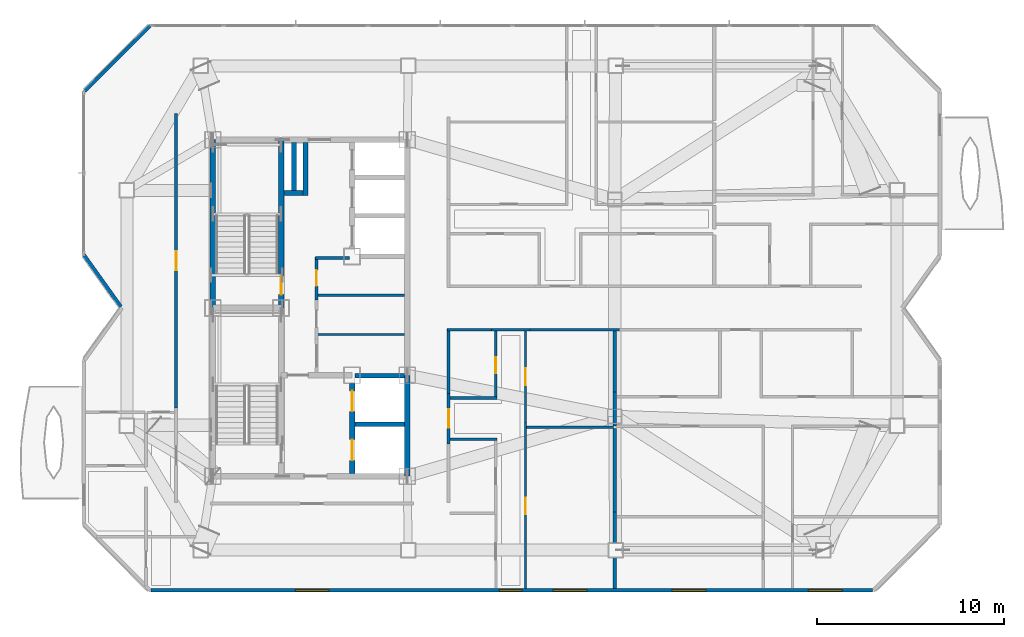
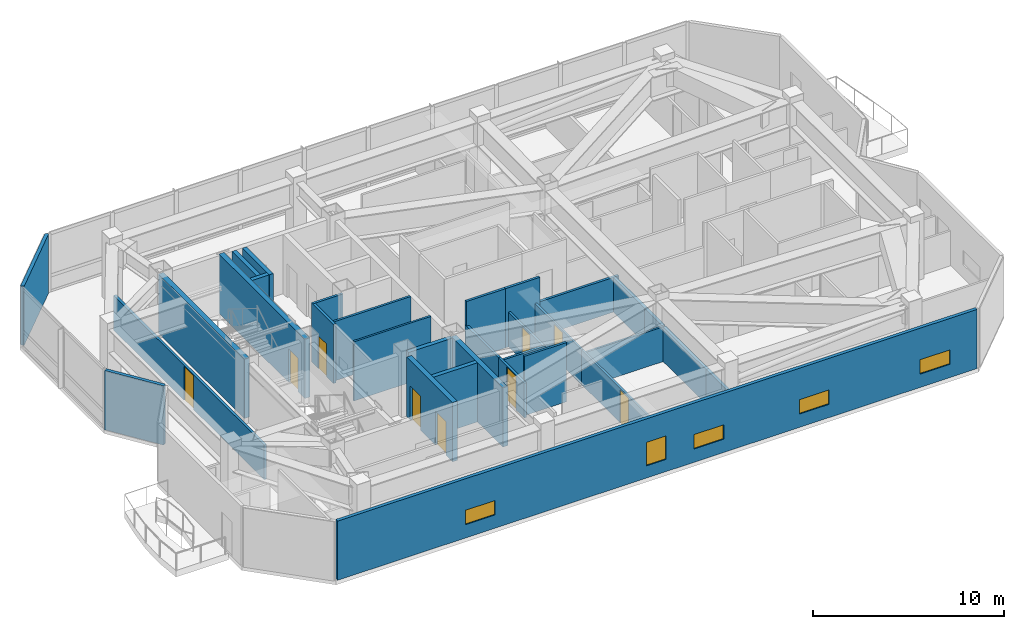
# One storey, part 10 of 16: 32 walls, 9 doors, 5 windows, 14 openings.
"""IFC4 building model written with IfcOpenShell, lengths in metres."""

from ifc_helpers import new_model, si_unit, direction, frame, frame_2d, origin, place, context, subcontext, project, spatial, rectangle, extrude, material, layer, layer_set, type_object, element, fill, save


model = new_model("IFC4")

# Units and contexts
model_context = context("Model", 3, precision=1e-05, world=origin(), true_north=direction((0.0, 1.0)))
body_context = subcontext(model_context, "Body", "Model", "MODEL_VIEW")
ifc_project = project(units=[si_unit("LENGTHUNIT", "METRE"), si_unit("AREAUNIT", "SQUARE_METRE"), si_unit("VOLUMEUNIT", "CUBIC_METRE"), si_unit("PLANEANGLEUNIT", "RADIAN"), si_unit("MASSUNIT", "GRAM", prefix="KILO")], contexts=[model_context])

# Site, building, storey
site_placement = place(None, origin())
site = spatial("IfcSite", under=ifc_project, at=site_placement, CompositionType="ELEMENT")
building_placement = place(site_placement, origin())
building = spatial("IfcBuilding", under=site, at=building_placement, Name="Khamvora Tower", CompositionType="ELEMENT")
storey_placement = place(building_placement, frame((0.0, 0.0, 273.64990234375)))
storey = spatial("IfcBuildingStorey", under=building, at=storey_placement, Name="L70", CompositionType="ELEMENT", Elevation=273.64990234375)

# Walls
ifc_material_1 = material(Name="Concrete C50/60", Category="concrete")
ifc_layer_1 = layer(ifc_material_1, 0.300048828125)
ifc_layer_set_1 = layer_set([ifc_layer_1], Name="Concrete C50/60")
wall_type_1 = type_object("IfcWallType", Name="WAL-CORE-300", PredefinedType="SHEAR", material=ifc_layer_set_1)
wall_1_placement = place(storey_placement, frame((29.0, 28.0, 0.0), z_axis=(0.0, 0.0, 1.0), x_axis=(0.0, 1.0, 0.0)))
element("IfcWall", 1, at=wall_1_placement, inside=storey, type_object=wall_type_1, Name="L70 central core west north wall", PredefinedType="SHEAR", context=body_context, shape_type="SweptSolid", body=[
    extrude(rectangle(XDim=9.0, YDim=0.300048828125, at=frame_2d((4.5, 0.0))), origin(), (0.0, 0.0, 1.0), 3.780029296875),
])
wall_2_placement = place(storey_placement, frame((39.39990234375, 19.0, 0.0), z_axis=(0.0, 0.0, 1.0), x_axis=(0.0, 1.0, 0.0)))
element("IfcWall", 2, at=wall_2_placement, inside=storey, type_object=wall_type_1, Name="L70 central core east south wall", PredefinedType="SHEAR", context=body_context, shape_type="SweptSolid", body=[
    extrude(rectangle(XDim=5.39990234375, YDim=0.300048828125, at=frame_2d((2.699951171875, 0.0))), origin(), (0.0, 0.0, 1.0), 3.780029296875),
])

# Wall, opening, door
wall_3_placement = place(storey_placement, frame((32.64990234375, 28.0, 0.0), z_axis=(0.0, 0.0, 1.0), x_axis=(0.0, 1.0, 0.0)))
wall_3 = element("IfcWall", 3, at=wall_3_placement, inside=storey, type_object=wall_type_1, Name="L70 central core stair north spine wall", PredefinedType="SHEAR", context=body_context, shape_type="SweptSolid", body=[
    extrude(rectangle(XDim=9.0, YDim=0.300048828125, at=frame_2d((4.5, 0.0))), origin(), (0.0, 0.0, 1.0), 3.780029296875),
])
opening_1_placement = place(wall_3_placement, frame((0.719970703125, 0.0, 0.0)))
opening_1 = element("IfcOpeningElement", 4, at=opening_1_placement, cuts=wall_3, Name="Opening D-ST1", PredefinedType="OPENING", context=body_context, shape_type="SweptSolid", body=[
    extrude(rectangle(XDim=1.0, YDim=2.14990234375, at=frame_2d((0.5, 1.074951171875))), frame((0.0, 0.159912109375, 0.0), z_axis=(0.0, -1.0, 0.0), x_axis=(1.0, 0.0, 0.0)), (0.0, 0.0, 1.0), 0.320068359375),
])
ifc_material_2 = material(Name="Powder-Coated Steel and Hardwood Leaf", Category="steel")
door_type_1 = type_object("IfcDoorType", Name="DOR-STAIR-1000", OperationType="NOTDEFINED", PredefinedType="DOOR", material=ifc_material_2)
door_1_placement = place(opening_1_placement, origin())
door_1 = element("IfcDoor", 5, at=door_1_placement, inside=storey, type_object=door_type_1, Name="L70 exit stair ST-02 fire door", OperationType="SINGLE_SWING_RIGHT", OverallHeight=2.14990234375, OverallWidth=1.0, PredefinedType="DOOR", context=body_context, shape_type="SweptSolid", body=[
    extrude(rectangle(XDim=1.0, YDim=2.14990234375, at=frame_2d((0.5, 1.074951171875))), frame((0.0, 0.02490234375, 0.0), z_axis=(0.0, -1.0, 0.0), x_axis=(1.0, 0.0, 0.0)), (0.0, 0.0, 1.0), 0.050048828125),
])
fill(opening_1, door_1)

# Wall, openings, doors
wall_4_placement = place(storey_placement, frame((36.449951171875, 19.154052734375, 0.0), z_axis=(0.0, 0.0, 1.0), x_axis=(0.0, 1.0, 0.0)))
wall_4 = element("IfcWall", 6, at=wall_4_placement, inside=storey, type_object=wall_type_1, Name="L70 central core lift bank south wall", PredefinedType="SHEAR", context=body_context, shape_type="SweptSolid", body=[
    extrude(rectangle(XDim=4.7958984375, YDim=0.300048828125, at=frame_2d((2.39794921875, 0.0))), origin(), (0.0, 0.0, 1.0), 3.780029296875),
])
opening_2_placement = place(wall_4_placement, frame((0.696044921875, 0.0, 0.0)))
opening_2 = element("IfcOpeningElement", 7, at=opening_2_placement, cuts=wall_4, Name="Opening LD-FFL", PredefinedType="OPENING", context=body_context, shape_type="SweptSolid", body=[
    extrude(rectangle(XDim=1.10009765625, YDim=2.14990234375, at=frame_2d((0.550048828125, 1.074951171875))), frame((0.0, 0.159912109375, 0.0), z_axis=(0.0, -1.0, 0.0), x_axis=(1.0, 0.0, 0.0)), (0.0, 0.0, 1.0), 0.320068359375),
])
opening_3_placement = place(wall_4_placement, frame((3.31591796875, 0.0, 0.0)))
opening_3 = element("IfcOpeningElement", 8, at=opening_3_placement, cuts=wall_4, Name="Opening LD-FFL", PredefinedType="OPENING", context=body_context, shape_type="SweptSolid", body=[
    extrude(rectangle(XDim=1.10009765625, YDim=2.14990234375, at=frame_2d((0.550048828125, 1.074951171875))), frame((0.0, 0.159912109375, 0.0), z_axis=(0.0, -1.0, 0.0), x_axis=(1.0, 0.0, 0.0)), (0.0, 0.0, 1.0), 0.320068359375),
])
door_type_2 = type_object("IfcDoorType", Name="DOR-LIFT-1100", OperationType="SLIDING_TO_LEFT", PredefinedType="DOOR", material=ifc_material_2)
door_2_placement = place(opening_2_placement, origin())
door_2 = element("IfcDoor", 9, at=door_2_placement, inside=storey, type_object=door_type_2, Name="L70 lift landing sliding door FFL-01", OperationType="SLIDING_TO_LEFT", OverallHeight=2.14990234375, OverallWidth=1.10009765625, PredefinedType="DOOR", context=body_context, shape_type="SweptSolid", body=[
    extrude(rectangle(XDim=1.10009765625, YDim=2.14990234375, at=frame_2d((0.550048828125, 1.074951171875))), frame((0.0, 0.02490234375, 0.0), z_axis=(0.0, -1.0, 0.0), x_axis=(1.0, 0.0, 0.0)), (0.0, 0.0, 1.0), 0.050048828125),
])
fill(opening_2, door_2)
door_3_placement = place(opening_3_placement, origin())
door_3 = element("IfcDoor", 10, at=door_3_placement, inside=storey, type_object=door_type_2, Name="L70 lift landing sliding door FFL-02", OperationType="SLIDING_TO_LEFT", OverallHeight=2.14990234375, OverallWidth=1.10009765625, PredefinedType="DOOR", context=body_context, shape_type="SweptSolid", body=[
    extrude(rectangle(XDim=1.10009765625, YDim=2.14990234375, at=frame_2d((0.550048828125, 1.074951171875))), frame((0.0, 0.02490234375, 0.0), z_axis=(0.0, -1.0, 0.0), x_axis=(1.0, 0.0, 0.0)), (0.0, 0.0, 1.0), 0.050048828125),
])
fill(opening_3, door_3)

# Wall
ifc_material_3 = material(Name="Fire-Rated Drywall and Steel Stud", Category="steel")
ifc_layer_2 = layer(ifc_material_3, 0.14990234375)
ifc_layer_set_2 = layer_set([ifc_layer_2], Name="Fire-Rated Drywall and Steel Stud")
wall_type_2 = type_object("IfcWallType", Name="WAL-CORR-150", PredefinedType="STANDARD", material=ifc_layer_set_2)
wall_5_placement = place(storey_placement, frame((36.300048828125, 30.6650390625, 0.0), z_axis=(0.0, 0.0, 1.0), x_axis=(-1.0, 0.0, 0.0)))
element("IfcWall", 11, at=wall_5_placement, inside=storey, type_object=wall_type_2, Name="L70 interior partition wall 001", PredefinedType="STANDARD", context=body_context, shape_type="SweptSolid", body=[
    extrude(rectangle(XDim=1.820068359375, YDim=0.14990234375, at=frame_2d((0.91015625, 0.0))), origin(), (0.0, 0.0, 1.0), 3.780029296875),
])

# Wall, opening, door
wall_6_placement = place(storey_placement, frame((34.544921875, 30.72998046875, 0.0), z_axis=(0.0, 0.0, 1.0), x_axis=(0.0, -1.0, 0.0)))
wall_6 = element("IfcWall", 12, at=wall_6_placement, inside=storey, type_object=wall_type_2, Name="L70 interior partition wall 002", PredefinedType="STANDARD", context=body_context, shape_type="SweptSolid", body=[
    extrude(rectangle(XDim=2.2939453125, YDim=0.14990234375, at=frame_2d((1.14697265625, 0.0))), origin(), (0.0, 0.0, 1.0), 3.780029296875),
])
opening_4_placement = place(wall_6_placement, frame((0.700927734375, 0.0, 0.0)))
opening_4 = element("IfcOpeningElement", 13, at=opening_4_placement, cuts=wall_6, Name="Opening D-WC1", PredefinedType="OPENING", context=body_context, shape_type="SweptSolid", body=[
    extrude(rectangle(XDim=0.85009765625, YDim=2.10009765625, at=frame_2d((0.425048828125, 1.050048828125))), frame((0.0, 0.0849609375, 0.0), z_axis=(0.0, -1.0, 0.0), x_axis=(1.0, 0.0, 0.0)), (0.0, 0.0, 1.0), 0.169921875),
])
door_type_3 = type_object("IfcDoorType", Name="DOR-WET-850", OperationType="NOTDEFINED", PredefinedType="DOOR", material=ifc_material_2)
door_4_placement = place(opening_4_placement, origin())
door_4 = element("IfcDoor", 14, at=door_4_placement, inside=storey, type_object=door_type_3, Name="L70 interior door PHL-CS1", OperationType="SINGLE_SWING_LEFT", OverallHeight=2.10009765625, OverallWidth=0.85009765625, PredefinedType="DOOR", context=body_context, shape_type="SweptSolid", body=[
    extrude(rectangle(XDim=0.85009765625, YDim=2.10009765625, at=frame_2d((0.425048828125, 1.050048828125))), frame((0.0, 0.02490234375, 0.0), z_axis=(0.0, -1.0, 0.0), x_axis=(1.0, 0.0, 0.0)), (0.0, 0.0, 1.0), 0.050048828125),
])
fill(opening_4, door_4)

wall_7_placement = place(storey_placement, frame((27.034912109375, 22.658935546875, 0.0), z_axis=(0.0, 0.0, 1.0), x_axis=(0.0, 1.0, 0.0)))
wall_7 = element("IfcWall", 15, at=wall_7_placement, inside=storey, type_object=wall_type_2, Name="L70 interior partition wall 009", PredefinedType="STANDARD", context=body_context, shape_type="SweptSolid", body=[
    extrude(rectangle(XDim=15.740966796875, YDim=0.14990234375, at=frame_2d((7.87060546875, 0.0))), origin(), (0.0, 0.0, 1.0), 2.22021484375),
])
opening_5_placement = place(wall_7_placement, frame((7.3701171875, 0.0, 0.0)))
opening_5 = element("IfcOpeningElement", 16, at=opening_5_placement, cuts=wall_7, Name="Opening D-U1", PredefinedType="OPENING", context=body_context, shape_type="SweptSolid", body=[
    extrude(rectangle(XDim=1.0, YDim=2.14990234375, at=frame_2d((0.5, 1.074951171875))), frame((0.0, 0.0849609375, 0.0), z_axis=(0.0, -1.0, 0.0), x_axis=(1.0, 0.0, 0.0)), (0.0, 0.0, 1.0), 0.169921875),
])
door_type_4 = type_object("IfcDoorType", Name="DOR-UNIT-1000", OperationType="NOTDEFINED", PredefinedType="DOOR", material=ifc_material_2)
door_5_placement = place(opening_5_placement, origin())
door_5 = element("IfcDoor", 17, at=door_5_placement, inside=storey, type_object=door_type_4, Name="L70 interior door COR-70AR1", OperationType="SINGLE_SWING_RIGHT", OverallHeight=2.14990234375, OverallWidth=1.0, PredefinedType="DOOR", context=body_context, shape_type="SweptSolid", body=[
    extrude(rectangle(XDim=1.0, YDim=2.14990234375, at=frame_2d((0.5, 1.074951171875))), frame((0.0, 0.02490234375, 0.0), z_axis=(0.0, -1.0, 0.0), x_axis=(1.0, 0.0, 0.0)), (0.0, 0.0, 1.0), 0.050048828125),
])
fill(opening_5, door_5)

# Wall
wall_8_placement = place(storey_placement, frame((45.97412109375, 26.8349609375, 0.0), z_axis=(0.0, 0.0, 1.0), x_axis=(-1.0, 0.0, 0.0)))
element("IfcWall", 18, at=wall_8_placement, inside=storey, type_object=wall_type_2, Name="L70 interior partition wall 010", PredefinedType="STANDARD", context=body_context, shape_type="SweptSolid", body=[
    extrude(rectangle(XDim=2.078125, YDim=0.14990234375, at=frame_2d((1.0390625, 0.0))), origin(), (0.0, 0.0, 1.0), 3.780029296875),
])

# Wall, opening, door
wall_9_placement = place(storey_placement, frame((41.614990234375, 23.43310546875, 0.0), z_axis=(0.0, 0.0, 1.0), x_axis=(0.0, -1.0, 0.0)))
wall_9 = element("IfcWall", 19, at=wall_9_placement, inside=storey, type_object=wall_type_2, Name="L70 interior partition wall 011", PredefinedType="STANDARD", context=body_context, shape_type="SweptSolid", body=[
    extrude(rectangle(XDim=2.697998046875, YDim=0.14990234375, at=frame_2d((1.34912109375, 0.0))), origin(), (0.0, 0.0, 1.0), 2.22021484375),
])
opening_6_placement = place(wall_9_placement, frame((0.84912109375, 0.0, 0.0)))
opening_6 = element("IfcOpeningElement", 20, at=opening_6_placement, cuts=wall_9, Name="Opening D-U1", PredefinedType="OPENING", context=body_context, shape_type="SweptSolid", body=[
    extrude(rectangle(XDim=1.0, YDim=2.14990234375, at=frame_2d((0.5, 1.074951171875))), frame((0.0, 0.0849609375, 0.0), z_axis=(0.0, -1.0, 0.0), x_axis=(1.0, 0.0, 0.0)), (0.0, 0.0, 1.0), 0.169921875),
])
door_6_placement = place(opening_6_placement, origin())
door_6 = element("IfcDoor", 21, at=door_6_placement, inside=storey, type_object=door_type_4, Name="L70 interior door COR-70CH", OperationType="SINGLE_SWING_LEFT", OverallHeight=2.14990234375, OverallWidth=1.0, PredefinedType="DOOR", context=body_context, shape_type="SweptSolid", body=[
    extrude(rectangle(XDim=1.0, YDim=2.14990234375, at=frame_2d((0.5, 1.074951171875))), frame((0.0, 0.02490234375, 0.0), z_axis=(0.0, -1.0, 0.0), x_axis=(1.0, 0.0, 0.0)), (0.0, 0.0, 1.0), 0.050048828125),
])
fill(opening_6, door_6)

# Walls
wall_10_placement = place(storey_placement, frame((43.89599609375, 26.8349609375, 0.0), z_axis=(0.0, 0.0, 1.0), x_axis=(-1.0, 0.0, 0.0)))
element("IfcWall", 22, at=wall_10_placement, inside=storey, type_object=wall_type_2, Name="L70 interior partition wall 012", PredefinedType="STANDARD", context=body_context, shape_type="SweptSolid", body=[
    extrude(rectangle(XDim=2.345947265625, YDim=0.14990234375, at=frame_2d((1.1728515625, 0.0))), origin(), (0.0, 0.0, 1.0), 3.780029296875),
])
wall_11_placement = place(storey_placement, frame((41.614990234375, 26.89794921875, 0.0), z_axis=(0.0, 0.0, 1.0), x_axis=(0.0, -1.0, 0.0)))
element("IfcWall", 23, at=wall_11_placement, inside=storey, type_object=wall_type_2, Name="L70 interior partition wall 013", PredefinedType="STANDARD", context=body_context, shape_type="SweptSolid", body=[
    extrude(rectangle(XDim=3.46484375, YDim=0.14990234375, at=frame_2d((1.732421875, 0.0))), origin(), (0.0, 0.0, 1.0), 2.22021484375),
])
wall_12_placement = place(storey_placement, frame((50.743896484375, 26.8349609375, 0.0), z_axis=(0.0, 0.0, 1.0), x_axis=(-1.0, 0.0, 0.0)))
element("IfcWall", 24, at=wall_12_placement, inside=storey, type_object=wall_type_2, Name="L70 interior partition wall 015", PredefinedType="STANDARD", context=body_context, shape_type="SweptSolid", body=[
    extrude(rectangle(XDim=4.769775390625, YDim=0.14990234375, at=frame_2d((2.384765625, 0.0))), origin(), (0.0, 0.0, 1.0), 2.22021484375),
])
ifc_material_4 = material(Name="Acoustic Double-Stud Fire Wall", Category="gypsum")
ifc_layer_3 = layer(ifc_material_4, 0.179931640625)
ifc_layer_set_3 = layer_set([ifc_layer_3], Name="Acoustic Double-Stud Fire Wall")
wall_type_3 = type_object("IfcWallType", Name="WAL-CORR-180", PredefinedType="STANDARD", material=ifc_layer_set_3)
wall_13_placement = place(storey_placement, frame((50.4951171875, 17.072998046875, 0.0), z_axis=(0.0, 0.0, 1.0), x_axis=(0.0, -1.0, 0.0)))
element("IfcWall", 25, at=wall_13_placement, inside=storey, type_object=wall_type_3, Name="L70 interior partition wall 044", PredefinedType="STANDARD", context=body_context, shape_type="SweptSolid", body=[
    extrude(rectangle(XDim=4.0810546875, YDim=0.179931640625, at=frame_2d((2.04052734375, 0.0))), origin(), (0.0, 0.0, 1.0), 2.22021484375),
])
wall_14_placement = place(storey_placement, frame((50.4951171875, 21.552978515625, 0.0), z_axis=(0.0, 0.0, 1.0), x_axis=(0.0, -1.0, 0.0)))
element("IfcWall", 26, at=wall_14_placement, inside=storey, type_object=wall_type_3, Name="L70 interior partition wall 045", PredefinedType="STANDARD", context=body_context, shape_type="SweptSolid", body=[
    extrude(rectangle(XDim=4.47998046875, YDim=0.179931640625, at=frame_2d((2.239990234375, 0.0))), origin(), (0.0, 0.0, 1.0), 2.22021484375),
])
wall_15_placement = place(storey_placement, frame((50.4951171875, 23.4990234375, 0.0), z_axis=(0.0, 0.0, 1.0), x_axis=(0.0, -1.0, 0.0)))
element("IfcWall", 27, at=wall_15_placement, inside=storey, type_object=wall_type_3, Name="L70 interior partition wall 046", PredefinedType="STANDARD", context=body_context, shape_type="SweptSolid", body=[
    extrude(rectangle(XDim=1.81591796875, YDim=0.179931640625, at=frame_2d((0.907958984375, 0.0))), origin(), (0.0, 0.0, 1.0), 2.22021484375),
])
wall_16_placement = place(storey_placement, frame((50.4951171875, 26.77001953125, 0.0), z_axis=(0.0, 0.0, 1.0), x_axis=(0.0, -1.0, 0.0)))
element("IfcWall", 28, at=wall_16_placement, inside=storey, type_object=wall_type_3, Name="L70 interior partition wall 047", PredefinedType="STANDARD", context=body_context, shape_type="SweptSolid", body=[
    extrude(rectangle(XDim=3.27099609375, YDim=0.179931640625, at=frame_2d((1.635498046875, 0.0))), origin(), (0.0, 0.0, 1.0), 2.22021484375),
])
ifc_material_5 = material(Name="Precast concrete C40/50", Category="concrete")
ifc_layer_4 = layer(ifc_material_5, 0.199951171875)
ifc_layer_set_4 = layer_set([ifc_layer_4], Name="Precast concrete C40/50")
wall_type_4 = type_object("IfcWallType", Name="WAL-EXT-200", PredefinedType="STANDARD", material=ifc_layer_set_4)
wall_17_placement = place(storey_placement, frame((24.073974609375, 28.069091796875, 0.0), z_axis=(0.0, 0.0, 1.0), x_axis=(-0.581306204583, 0.813684887726, 0.0)))
element("IfcWall", 29, at=wall_17_placement, inside=storey, type_object=wall_type_4, Name="L70 exterior facade wall 04.1", PredefinedType="STANDARD", context=body_context, shape_type="SweptSolid", body=[
    extrude(rectangle(XDim=3.3955078125, YDim=0.199951171875, at=frame_2d((1.69775390625, 0.0))), origin(), (0.0, 0.0, 1.0), 3.780029296875),
])
wall_18_placement = place(storey_placement, frame((22.14404296875, 39.60302734375, 0.0), z_axis=(0.0, 0.0, 1.0), x_axis=(0.707106781187, 0.707106781187, 0.0)))
element("IfcWall", 30, at=wall_18_placement, inside=storey, type_object=wall_type_4, Name="L70 exterior facade wall 06.1", PredefinedType="STANDARD", context=body_context, shape_type="SweptSolid", body=[
    extrude(rectangle(XDim=4.945556640625, YDim=0.199951171875, at=frame_2d((2.47265625, 0.0))), origin(), (0.0, 0.0, 1.0), 3.780029296875),
])

# Wall, openings, windows
wall_19_placement = place(storey_placement, frame((64.2958984375, 12.89990234375, 0.0), z_axis=(0.0, 0.0, 1.0), x_axis=(-1.0, 0.0, 0.0)))
wall_19 = element("IfcWall", 31, at=wall_19_placement, inside=storey, type_object=wall_type_4, Name="L70 exterior facade wall 14.1", PredefinedType="STANDARD", context=body_context, shape_type="SweptSolid", body=[
    extrude(rectangle(XDim=38.593017578125, YDim=0.199951171875, at=frame_2d((19.29638671875, 0.0))), origin(), (0.0, 0.0, 1.0), 3.780029296875),
])
opening_7_placement = place(wall_19_placement, frame((29.0859375, 0.0, 0.85009765625)))
opening_7 = element("IfcOpeningElement", 32, at=opening_7_placement, cuts=wall_19, Name="Opening WN-09", PredefinedType="OPENING", context=body_context, shape_type="SweptSolid", body=[
    extrude(rectangle(XDim=1.800048828125, YDim=0.919921875, at=frame_2d((0.89990234375, 0.4599609375))), frame((0.0, 0.10986328125, 0.0), z_axis=(0.0, -1.0, 0.0), x_axis=(1.0, 0.0, 0.0)), (0.0, 0.0, 1.0), 0.219970703125),
])
opening_8_placement = place(wall_19_placement, frame((18.760986328125, 0.0, 0.780029296875)))
opening_8 = element("IfcOpeningElement", 33, at=opening_8_placement, cuts=wall_19, Name="Opening WN-03", PredefinedType="OPENING", context=body_context, shape_type="SweptSolid", body=[
    extrude(rectangle(XDim=1.199951171875, YDim=1.5, at=frame_2d((0.60009765625, 0.75))), frame((0.0, 0.10986328125, 0.0), z_axis=(0.0, -1.0, 0.0), x_axis=(1.0, 0.0, 0.0)), (0.0, 0.0, 1.0), 0.219970703125),
])
opening_9_placement = place(wall_19_placement, frame((15.285888671875, 0.0, 0.85009765625)))
opening_9 = element("IfcOpeningElement", 34, at=opening_9_placement, cuts=wall_19, Name="Opening WN-09", PredefinedType="OPENING", context=body_context, shape_type="SweptSolid", body=[
    extrude(rectangle(XDim=1.800048828125, YDim=0.919921875, at=frame_2d((0.89990234375, 0.4599609375))), frame((0.0, 0.10986328125, 0.0), z_axis=(0.0, -1.0, 0.0), x_axis=(1.0, 0.0, 0.0)), (0.0, 0.0, 1.0), 0.219970703125),
])
opening_10_placement = place(wall_19_placement, frame((8.9208984375, 0.0, 0.85009765625)))
opening_10 = element("IfcOpeningElement", 35, at=opening_10_placement, cuts=wall_19, Name="Opening WN-09", PredefinedType="OPENING", context=body_context, shape_type="SweptSolid", body=[
    extrude(rectangle(XDim=1.800048828125, YDim=0.919921875, at=frame_2d((0.89990234375, 0.4599609375))), frame((0.0, 0.10986328125, 0.0), z_axis=(0.0, -1.0, 0.0), x_axis=(1.0, 0.0, 0.0)), (0.0, 0.0, 1.0), 0.219970703125),
])
opening_11_placement = place(wall_19_placement, frame((1.633056640625, 0.0, 0.85009765625)))
opening_11 = element("IfcOpeningElement", 36, at=opening_11_placement, cuts=wall_19, Name="Opening WN-09", PredefinedType="OPENING", context=body_context, shape_type="SweptSolid", body=[
    extrude(rectangle(XDim=1.800048828125, YDim=0.919921875, at=frame_2d((0.89990234375, 0.4599609375))), frame((0.0, 0.10986328125, 0.0), z_axis=(0.0, -1.0, 0.0), x_axis=(1.0, 0.0, 0.0)), (0.0, 0.0, 1.0), 0.219970703125),
])
ifc_material_6 = material(Name="Low-E Laminated Double Glazing", Category="glass")
window_type_1 = type_object("IfcWindowType", Name="WIN-CLR-1800x920", PartitioningType="SINGLE_PANEL", PredefinedType="WINDOW", material=ifc_material_6)
window_1_placement = place(opening_7_placement, origin())
window_1 = element("IfcWindow", 37, at=window_1_placement, inside=storey, type_object=window_type_1, Name="L70 vision window 14.1.01", OverallHeight=0.919921875, OverallWidth=1.800048828125, PartitioningType="SINGLE_PANEL", PredefinedType="WINDOW", context=body_context, shape_type="SweptSolid", body=[
    extrude(rectangle(XDim=1.800048828125, YDim=0.919921875, at=frame_2d((0.89990234375, 0.4599609375))), frame((0.0, 0.030029296875, 0.0), z_axis=(0.0, -1.0, 0.0), x_axis=(1.0, 0.0, 0.0)), (0.0, 0.0, 1.0), 0.06005859375),
])
fill(opening_7, window_1)
window_2_placement = place(opening_9_placement, origin())
window_2 = element("IfcWindow", 38, at=window_2_placement, inside=storey, type_object=window_type_1, Name="L70 vision window 14.1.03", OverallHeight=0.919921875, OverallWidth=1.800048828125, PartitioningType="SINGLE_PANEL", PredefinedType="WINDOW", context=body_context, shape_type="SweptSolid", body=[
    extrude(rectangle(XDim=1.800048828125, YDim=0.919921875, at=frame_2d((0.89990234375, 0.4599609375))), frame((0.0, 0.030029296875, 0.0), z_axis=(0.0, -1.0, 0.0), x_axis=(1.0, 0.0, 0.0)), (0.0, 0.0, 1.0), 0.06005859375),
])
fill(opening_9, window_2)
window_3_placement = place(opening_10_placement, origin())
window_3 = element("IfcWindow", 39, at=window_3_placement, inside=storey, type_object=window_type_1, Name="L70 vision window 14.1.04", OverallHeight=0.919921875, OverallWidth=1.800048828125, PartitioningType="SINGLE_PANEL", PredefinedType="WINDOW", context=body_context, shape_type="SweptSolid", body=[
    extrude(rectangle(XDim=1.800048828125, YDim=0.919921875, at=frame_2d((0.89990234375, 0.4599609375))), frame((0.0, 0.030029296875, 0.0), z_axis=(0.0, -1.0, 0.0), x_axis=(1.0, 0.0, 0.0)), (0.0, 0.0, 1.0), 0.06005859375),
])
fill(opening_10, window_3)
window_4_placement = place(opening_11_placement, origin())
window_4 = element("IfcWindow", 40, at=window_4_placement, inside=storey, type_object=window_type_1, Name="L70 vision window 14.1.05", OverallHeight=0.919921875, OverallWidth=1.800048828125, PartitioningType="SINGLE_PANEL", PredefinedType="WINDOW", context=body_context, shape_type="SweptSolid", body=[
    extrude(rectangle(XDim=1.800048828125, YDim=0.919921875, at=frame_2d((0.89990234375, 0.4599609375))), frame((0.0, 0.030029296875, 0.0), z_axis=(0.0, -1.0, 0.0), x_axis=(1.0, 0.0, 0.0)), (0.0, 0.0, 1.0), 0.06005859375),
])
fill(opening_11, window_4)
window_type_2 = type_object("IfcWindowType", Name="WIN-VIS-1200x1500", PartitioningType="SINGLE_PANEL", PredefinedType="WINDOW", material=ifc_material_6)
window_5_placement = place(opening_8_placement, origin())
window_5 = element("IfcWindow", 41, at=window_5_placement, inside=storey, type_object=window_type_2, Name="L70 vision window 14.1.02", OverallHeight=1.5, OverallWidth=1.199951171875, PartitioningType="SINGLE_PANEL", PredefinedType="WINDOW", context=body_context, shape_type="SweptSolid", body=[
    extrude(rectangle(XDim=1.199951171875, YDim=1.5, at=frame_2d((0.60009765625, 0.75))), frame((0.0, 0.030029296875, 0.0), z_axis=(0.0, -1.0, 0.0), x_axis=(1.0, 0.0, 0.0)), (0.0, 0.0, 1.0), 0.06005859375),
])
fill(opening_8, window_5)

# Wall
ifc_material_7 = material(Name="Gypsum Plasterboard Partition", Category="gypsum")
ifc_layer_5 = layer(ifc_material_7, 0.1201171875)
ifc_layer_set_5 = layer_set([ifc_layer_5], Name="Gypsum Plasterboard Partition")
wall_type_5 = type_object("IfcWallType", Name="WAL-PART-120", PredefinedType="PARTITIONING", material=ifc_layer_set_5)
wall_20_placement = place(storey_placement, frame((39.256103515625, 26.5849609375, 0.0), z_axis=(0.0, 0.0, 1.0), x_axis=(-1.0, 0.0, 0.0)))
element("IfcWall", 42, at=wall_20_placement, inside=storey, type_object=wall_type_5, Name="L70 interior partition wall 006", PredefinedType="PARTITIONING", context=body_context, shape_type="SweptSolid", body=[
    extrude(rectangle(XDim=4.64404296875, YDim=0.1201171875, at=frame_2d((2.322021484375, 0.0))), origin(), (0.0, 0.0, 1.0), 3.780029296875),
])

# Wall, opening, door
wall_21_placement = place(storey_placement, frame((45.72509765625, 21.866943359375, 0.0), z_axis=(0.0, 0.0, 1.0), x_axis=(0.0, -1.0, 0.0)))
wall_21 = element("IfcWall", 43, at=wall_21_placement, inside=storey, type_object=wall_type_5, Name="L70 interior partition wall 041", PredefinedType="PARTITIONING", context=body_context, shape_type="SweptSolid", body=[
    extrude(rectangle(XDim=8.875, YDim=0.1201171875, at=frame_2d((4.4375, 0.0))), origin(), (0.0, 0.0, 1.0), 2.22021484375),
])
opening_12_placement = place(wall_21_placement, frame((4.008056640625, 0.0, 0.0)))
opening_12 = element("IfcOpeningElement", 44, at=opening_12_placement, cuts=wall_21, Name="Opening D-RM1", PredefinedType="OPENING", context=body_context, shape_type="SweptSolid", body=[
    extrude(rectangle(XDim=0.89990234375, YDim=2.10009765625, at=frame_2d((0.449951171875, 1.050048828125))), frame((0.0, 0.070068359375, 0.0), z_axis=(0.0, -1.0, 0.0), x_axis=(1.0, 0.0, 0.0)), (0.0, 0.0, 1.0), 0.14013671875),
])
door_type_5 = type_object("IfcDoorType", Name="DOR-ROOM-900", OperationType="NOTDEFINED", PredefinedType="DOOR", material=ifc_material_2)
door_7_placement = place(opening_12_placement, origin())
door_7 = element("IfcDoor", 45, at=door_7_placement, inside=storey, type_object=door_type_5, Name="L70 interior door 70CH-70CR1", OperationType="SINGLE_SWING_RIGHT", OverallHeight=2.10009765625, OverallWidth=0.89990234375, PredefinedType="DOOR", context=body_context, shape_type="SweptSolid", body=[
    extrude(rectangle(XDim=0.89990234375, YDim=2.10009765625, at=frame_2d((0.449951171875, 1.050048828125))), frame((0.0, 0.02490234375, 0.0), z_axis=(0.0, -1.0, 0.0), x_axis=(1.0, 0.0, 0.0)), (0.0, 0.0, 1.0), 0.050048828125),
])
fill(opening_12, door_7)

wall_22_placement = place(storey_placement, frame((45.72509765625, 26.77001953125, 0.0), z_axis=(0.0, 0.0, 1.0), x_axis=(0.0, -1.0, 0.0)))
wall_22 = element("IfcWall", 46, at=wall_22_placement, inside=storey, type_object=wall_type_5, Name="L70 interior partition wall 042", PredefinedType="PARTITIONING", context=body_context, shape_type="SweptSolid", body=[
    extrude(rectangle(XDim=4.903076171875, YDim=0.1201171875, at=frame_2d((2.45166015625, 0.0))), origin(), (0.0, 0.0, 1.0), 2.22021484375),
])
opening_13_placement = place(wall_22_placement, frame((2.0009765625, 0.0, 0.0)))
opening_13 = element("IfcOpeningElement", 47, at=opening_13_placement, cuts=wall_22, Name="Opening D-RM1", PredefinedType="OPENING", context=body_context, shape_type="SweptSolid", body=[
    extrude(rectangle(XDim=0.89990234375, YDim=2.10009765625, at=frame_2d((0.449951171875, 1.050048828125))), frame((0.0, 0.070068359375, 0.0), z_axis=(0.0, -1.0, 0.0), x_axis=(1.0, 0.0, 0.0)), (0.0, 0.0, 1.0), 0.14013671875),
])
door_8_placement = place(opening_13_placement, origin())
door_8 = element("IfcDoor", 48, at=door_8_placement, inside=storey, type_object=door_type_5, Name="L70 interior door 70CH-70CR2", OperationType="SINGLE_SWING_LEFT", OverallHeight=2.10009765625, OverallWidth=0.89990234375, PredefinedType="DOOR", context=body_context, shape_type="SweptSolid", body=[
    extrude(rectangle(XDim=0.89990234375, YDim=2.10009765625, at=frame_2d((0.449951171875, 1.050048828125))), frame((0.0, 0.02490234375, 0.0), z_axis=(0.0, -1.0, 0.0), x_axis=(1.0, 0.0, 0.0)), (0.0, 0.0, 1.0), 0.050048828125),
])
fill(opening_13, door_8)

# Walls
wall_23_placement = place(storey_placement, frame((45.779052734375, 21.617919921875, 0.0), z_axis=(0.0, 0.0, 1.0), x_axis=(1.0, 0.0, 0.0)))
element("IfcWall", 49, at=wall_23_placement, inside=storey, type_object=wall_type_5, Name="L70 interior partition wall 043", PredefinedType="PARTITIONING", context=body_context, shape_type="SweptSolid", body=[
    extrude(rectangle(XDim=4.65087890625, YDim=0.1201171875, at=frame_2d((2.325439453125, 0.0))), origin(), (0.0, 0.0, 1.0), 2.22021484375),
])
ifc_material_8 = material(Name="Concrete C40/50", Category="concrete")
ifc_layer_6 = layer(ifc_material_8, 0.25)
ifc_layer_set_6 = layer_set([ifc_layer_6], Name="Concrete C40/50")
wall_type_6 = type_object("IfcWallType", Name="WAL-PODS-250", PredefinedType="SHEAR", material=ifc_layer_set_6)
for number, where, z_axis, x_axis, name in (
    (50, (36.60400390625, 21.77490234375, 0.0), (0.0, 0.0, 1.0), (1.0, 0.0, 0.0), "L70 lift shaft divider wall FFL-01"),
    (51, (36.60400390625, 24.375, 0.0), (0.0, 0.0, 1.0), (1.0, 0.0, 0.0), "L70 lift shaft divider wall FFL-02"),
):
    element("IfcWall", number, at=place(storey_placement, frame(where, z_axis=z_axis, x_axis=x_axis)), inside=storey, type_object=wall_type_6, Name=name, PredefinedType="SHEAR", context=body_context, shape_type="SweptSolid", body=[
        extrude(rectangle(XDim=2.64208984375, YDim=0.25, at=frame_2d((1.321044921875, 0.0))), origin(), (0.0, 0.0, 1.0), 3.780029296875),
    ])
wall_24_placement = place(storey_placement, frame((33.955078125, 34.02490234375, 0.0), z_axis=(0.0, 0.0, 1.0), x_axis=(0.0, 1.0, 0.0)))
element("IfcWall", 52, at=wall_24_placement, inside=storey, type_object=wall_type_6, Name="L70 vertical MEP riser shaft east enclosure wall", PredefinedType="SHEAR", context=body_context, shape_type="SweptSolid", body=[
    extrude(rectangle(XDim=2.821044921875, YDim=0.25, at=frame_2d((1.41064453125, 0.0))), origin(), (0.0, 0.0, 1.0), 3.780029296875),
])
wall_25_placement = place(storey_placement, frame((32.803955078125, 34.14990234375, 0.0), z_axis=(0.0, 0.0, 1.0), x_axis=(1.0, 0.0, 0.0)))
element("IfcWall", 53, at=wall_25_placement, inside=storey, type_object=wall_type_6, Name="L70 vertical MEP riser shaft south enclosure wall", PredefinedType="SHEAR", context=body_context, shape_type="SweptSolid", body=[
    extrude(rectangle(XDim=1.02197265625, YDim=0.25, at=frame_2d((0.510986328125, 0.0))), origin(), (0.0, 0.0, 1.0), 3.780029296875),
])
wall_26_placement = place(storey_placement, frame((33.340087890625, 34.279052734375, 0.0), z_axis=(0.0, 0.0, 1.0), x_axis=(0.0, 1.0, 0.0)))
element("IfcWall", 54, at=wall_26_placement, inside=storey, type_object=wall_type_6, Name="L70 vertical MEP riser shaft divider enclosure wall", PredefinedType="SHEAR", context=body_context, shape_type="SweptSolid", body=[
    extrude(rectangle(XDim=2.56689453125, YDim=0.25, at=frame_2d((1.283447265625, 0.0))), origin(), (0.0, 0.0, 1.0), 3.780029296875),
])
ifc_material_9 = material(Name="Moisture-Resistant Plasterboard Partition", Category="gypsum")
ifc_layer_7 = layer(ifc_material_9, 0.135009765625)
ifc_layer_set_7 = layer_set([ifc_layer_7], Name="Moisture-Resistant Plasterboard Partition")
wall_type_7 = type_object("IfcWallType", Name="WAL-WET-135", PredefinedType="PARTITIONING", material=ifc_layer_set_7)
wall_27_placement = place(storey_placement, frame((39.256103515625, 28.68505859375, 0.0), z_axis=(0.0, 0.0, 1.0), x_axis=(-1.0, 0.0, 0.0)))
element("IfcWall", 55, at=wall_27_placement, inside=storey, type_object=wall_type_7, Name="L70 interior partition wall 005", PredefinedType="PARTITIONING", context=body_context, shape_type="SweptSolid", body=[
    extrude(rectangle(XDim=4.64404296875, YDim=0.135009765625, at=frame_2d((2.322021484375, 0.0))), origin(), (0.0, 0.0, 1.0), 3.780029296875),
])
wall_28_placement = place(storey_placement, frame((41.681884765625, 23.18408203125, 0.0), z_axis=(0.0, 0.0, 1.0), x_axis=(1.0, 0.0, 0.0)))
element("IfcWall", 56, at=wall_28_placement, inside=storey, type_object=wall_type_7, Name="L70 interior partition wall 037", PredefinedType="PARTITIONING", context=body_context, shape_type="SweptSolid", body=[
    extrude(rectangle(XDim=2.528076171875, YDim=0.135009765625, at=frame_2d((1.26416015625, 0.0))), origin(), (0.0, 0.0, 1.0), 2.22021484375),
])

# Wall, opening, door
wall_29_placement = place(storey_placement, frame((44.14501953125, 23.118896484375, 0.0), z_axis=(0.0, 0.0, 1.0), x_axis=(0.0, 1.0, 0.0)))
wall_29 = element("IfcWall", 57, at=wall_29_placement, inside=storey, type_object=wall_type_7, Name="L70 interior partition wall 038", PredefinedType="PARTITIONING", context=body_context, shape_type="SweptSolid", body=[
    extrude(rectangle(XDim=3.651123046875, YDim=0.135009765625, at=frame_2d((1.82568359375, 0.0))), origin(), (0.0, 0.0, 1.0), 2.22021484375),
])
opening_14_placement = place(wall_29_placement, frame((1.39990234375, 0.0, 0.0)))
opening_14 = element("IfcOpeningElement", 58, at=opening_14_placement, cuts=wall_29, Name="Opening D-WC1", PredefinedType="OPENING", context=body_context, shape_type="SweptSolid", body=[
    extrude(rectangle(XDim=0.85009765625, YDim=2.10009765625, at=frame_2d((0.425048828125, 1.050048828125))), frame((0.0, 0.077392578125, 0.0), z_axis=(0.0, -1.0, 0.0), x_axis=(1.0, 0.0, 0.0)), (0.0, 0.0, 1.0), 0.155029296875),
])
door_9_placement = place(opening_14_placement, origin())
door_9 = element("IfcDoor", 59, at=door_9_placement, inside=storey, type_object=door_type_3, Name="L70 interior door 70CH-70CB", OperationType="SINGLE_SWING_RIGHT", OverallHeight=2.10009765625, OverallWidth=0.85009765625, PredefinedType="DOOR", context=body_context, shape_type="SweptSolid", body=[
    extrude(rectangle(XDim=0.85009765625, YDim=2.10009765625, at=frame_2d((0.425048828125, 1.050048828125))), frame((0.0, 0.02490234375, 0.0), z_axis=(0.0, -1.0, 0.0), x_axis=(1.0, 0.0, 0.0)), (0.0, 0.0, 1.0), 0.050048828125),
])
fill(opening_14, door_9)

# Wall
wall_30_placement = place(storey_placement, frame((44.2099609375, 20.98388671875, 0.0), z_axis=(0.0, 0.0, 1.0), x_axis=(-1.0, 0.0, 0.0)))
element("IfcWall", 60, at=wall_30_placement, inside=storey, type_object=wall_type_7, Name="L70 interior partition wall 040", PredefinedType="PARTITIONING", context=body_context, shape_type="SweptSolid", body=[
    extrude(rectangle(XDim=2.528076171875, YDim=0.135009765625, at=frame_2d((1.26416015625, 0.0))), origin(), (0.0, 0.0, 1.0), 3.780029296875),
])

save(model, "model.ifc")
